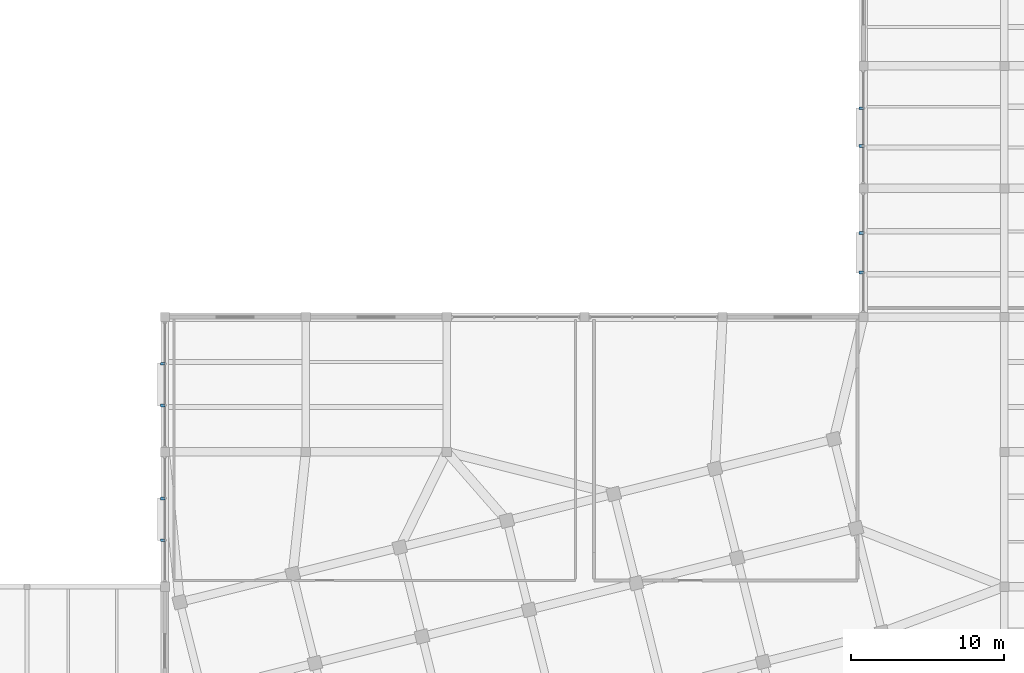
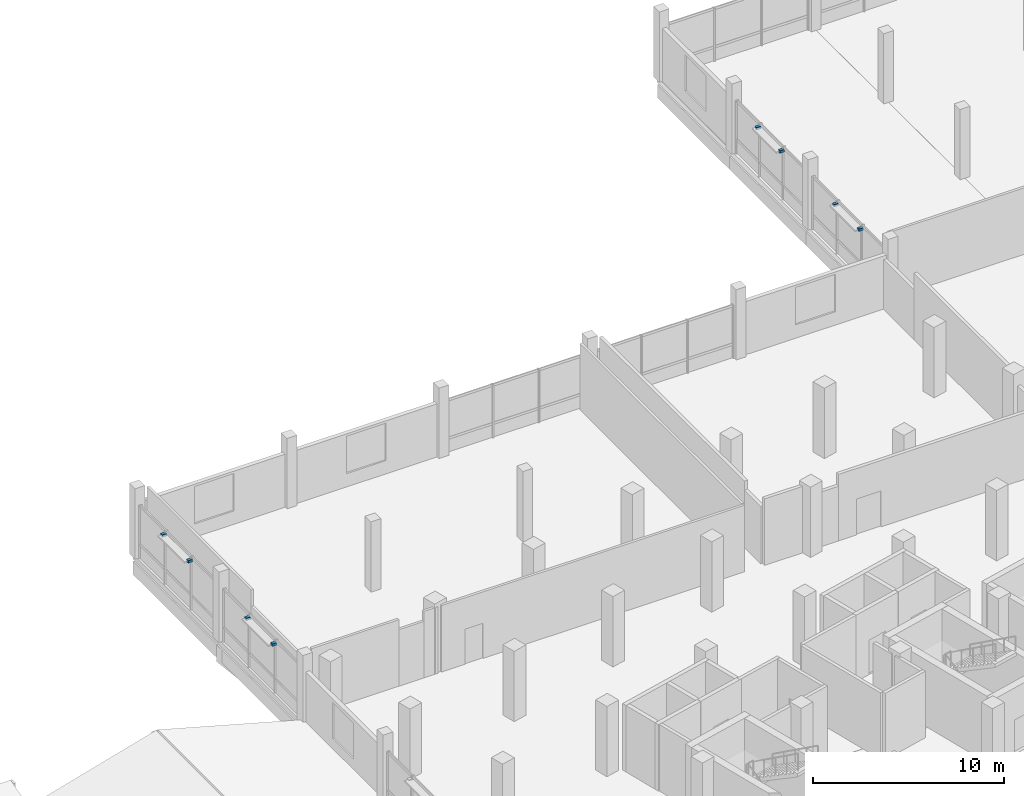
# One storey, part 72 of 77: 8 discrete accessories.
"""IFC4 building model written with IfcOpenShell, lengths in metres."""

from ifc_helpers import new_model, si_unit, direction, frame, origin, origin_2d, place, context, subcontext, project, spatial, rectangle, extrude, material, type_object, element, save


model = new_model("IFC4")

# Units and contexts
model_context = context("Model", 3, precision=1e-05, world=origin(), true_north=direction((0.0, 1.0)))
body_context = subcontext(model_context, "Body", "Model", "MODEL_VIEW")
ifc_project = project(units=[si_unit("LENGTHUNIT", "METRE"), si_unit("AREAUNIT", "SQUARE_METRE"), si_unit("VOLUMEUNIT", "CUBIC_METRE"), si_unit("PLANEANGLEUNIT", "RADIAN"), si_unit("MASSUNIT", "GRAM", prefix="KILO")], contexts=[model_context])

# Site, building, storey
site_placement = place(None, origin())
site = spatial("IfcSite", under=ifc_project, at=site_placement, CompositionType="ELEMENT")
building_placement = place(site_placement, origin())
building = spatial("IfcBuilding", under=site, at=building_placement, Name="Meriwether Solvik Hall", CompositionType="ELEMENT")
storey_placement = place(building_placement, frame((0.0, 0.0, 9.89990234375)))
storey = spatial("IfcBuildingStorey", under=building, at=storey_placement, Name="L02", CompositionType="ELEMENT", Elevation=9.89990234375)

# Discrete accessories
ifc_material = material(Name="Steel A36 Galvanised", Category="steel")
discrete_accessory_type = type_object("IfcDiscreteAccessoryType", Name="ACC-BRK-STL", PredefinedType="BRACKET", material=ifc_material)
for number, where, z_axis, x_axis, name in (
    (1, (59.260009765625, 78.2373046875, 3.09521484375), (0.0, 0.0, 1.0), (0.0, 1.0, 0.0), "Sunshade Outrigger Bracket wing_Y7_9_32-1"),
    (2, (59.260009765625, 80.962646484375, 3.09521484375), (0.0, 0.0, 1.0), (0.0, 1.0, 0.0), "Sunshade Outrigger Bracket wing_Y7_9_32-2"),
    (3, (59.260009765625, 87.037353515625, 3.09521484375), (0.0, 0.0, 1.0), (0.0, 1.0, 0.0), "Sunshade Outrigger Bracket wing_Y7_10_33-1"),
    (4, (59.260009765625, 89.7626953125, 3.09521484375), (0.0, 0.0, 1.0), (0.0, 1.0, 0.0), "Sunshade Outrigger Bracket wing_Y7_10_33-2"),
    (5, (104.860107421875, 95.7041015625, 3.09521484375), (0.0, 0.0, 1.0), (0.0, 1.0, 0.0), "Sunshade Outrigger Bracket wing_Y12_11_34-1"),
    (6, (104.860107421875, 98.2958984375, 3.09521484375), (0.0, 0.0, 1.0), (0.0, 1.0, 0.0), "Sunshade Outrigger Bracket wing_Y12_11_34-2"),
    (7, (104.860107421875, 103.970703125, 3.09521484375), (0.0, 0.0, 1.0), (0.0, 1.0, 0.0), "Sunshade Outrigger Bracket wing_Y12_12_35-1"),
    (8, (104.860107421875, 106.429443359375, 3.09521484375), (0.0, 0.0, 1.0), (0.0, 1.0, 0.0), "Sunshade Outrigger Bracket wing_Y12_12_35-2"),
):
    element("IfcDiscreteAccessory", number, at=place(storey_placement, frame(where, z_axis=z_axis, x_axis=x_axis)), inside=storey, type_object=discrete_accessory_type, Name=name, PredefinedType="BRACKET", context=body_context, shape_type="SweptSolid", body=[
        extrude(rectangle(XDim=0.179931640625, YDim=0.280029296875, at=origin_2d()), origin(), (0.0, 0.0, 1.0), 0.159912109375),
    ])

save(model, "model.ifc")
